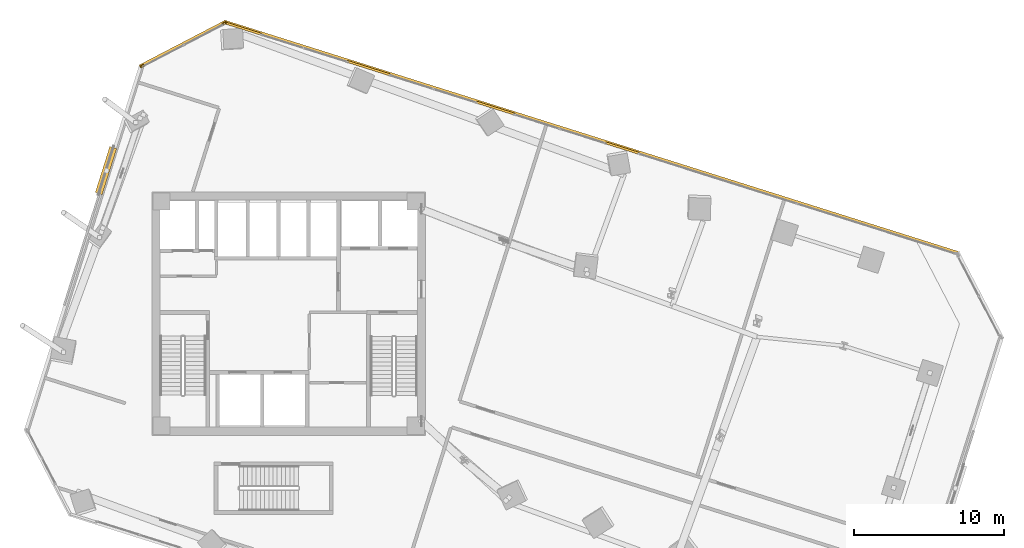
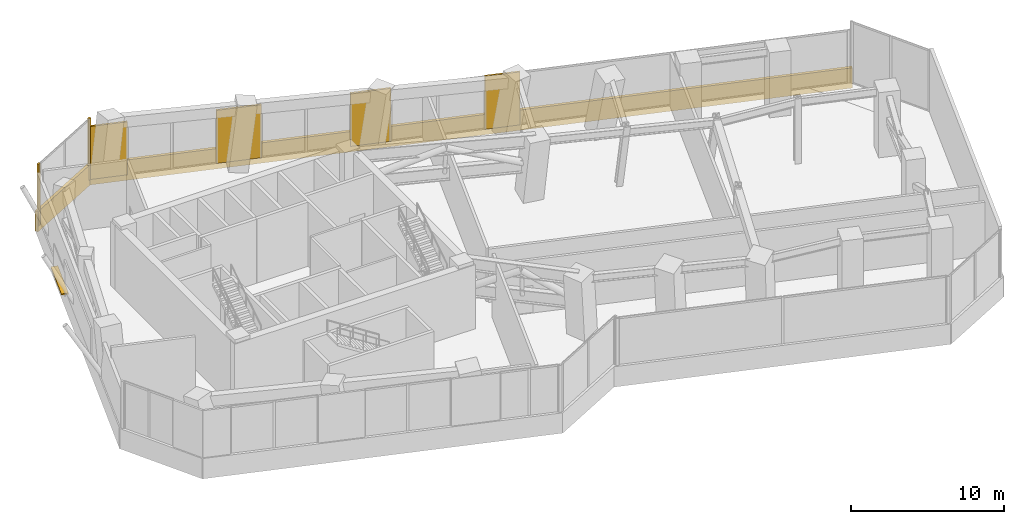
# One storey, part 28 of 29: 8 coverings, 1 shading device.
"""IFC4 building model written with IfcOpenShell, lengths in metres."""

from ifc_helpers import new_model, si_unit, direction, frame, origin, origin_2d, place, context, subcontext, project, spatial, rectangle, extrude, source, transform, mapped, material, layer, layer_set, type_object, element, save


model = new_model("IFC4")

# Units and contexts
model_context = context("Model", 3, precision=1e-05, world=origin(), true_north=direction((0.0, 1.0)))
body_context = subcontext(model_context, "Body", "Model", "MODEL_VIEW")
ifc_project = project(units=[si_unit("LENGTHUNIT", "METRE"), si_unit("AREAUNIT", "SQUARE_METRE"), si_unit("VOLUMEUNIT", "CUBIC_METRE"), si_unit("PLANEANGLEUNIT", "RADIAN"), si_unit("MASSUNIT", "GRAM", prefix="KILO")], contexts=[model_context])

# Site, building, storey
site_placement = place(None, origin())
site = spatial("IfcSite", under=ifc_project, at=site_placement, CompositionType="ELEMENT")
building_placement = place(site_placement, origin())
building = spatial("IfcBuilding", under=site, at=building_placement, Name="Torre Montelarca", CompositionType="ELEMENT")
storey_placement = place(building_placement, frame((0.0, 0.0, 122.199951171875)))
storey = spatial("IfcBuildingStorey", under=building, at=storey_placement, Name="L27", CompositionType="ELEMENT", Elevation=122.199951171875)

# Coverings
ifc_material_1 = material(Name="Bush-hammered warm white precast concrete C45/55", Category="concrete")
ifc_layer_1 = layer(ifc_material_1, 0.139892578125, Name="Bush-hammered warm white precast concrete C45/55", Category="concrete")
ifc_layer_set_1 = layer_set([ifc_layer_1], Name="Bush-hammered warm white precast concrete C45/55")
covering_type = type_object("IfcCoveringType", Name="COV-TRAY-CLAD", PredefinedType="CLADDING", material=ifc_layer_set_1)
shared_shape_1 = source(origin(), body_context, "Body", "SweptSolid", [
    extrude(rectangle(XDim=6.48388671875, YDim=0.219970703125, at=origin_2d()), origin(), (0.0, 0.0, 1.0), 1.6201171875),
])
covering_1_placement = place(storey_placement, frame((10.973876953125, 49.923583984375, -0.449951171875), z_axis=(0.0, 0.0, 1.0), x_axis=(-0.88701405677, -0.46174242072, 0.0)))
element("IfcCovering", 1, at=covering_1_placement, inside=storey, type_object=covering_type, Name="L27 Architectural White Spandrel Tray Band TRYBOT-09", PredefinedType="CLADDING", context=body_context, shape_type="MappedRepresentation", body=[
    mapped(shared_shape_1, transform((0.0, 0.0, 0.0), scale=1.0)),
])
shared_shape_2 = source(origin(), body_context, "Body", "SweptSolid", [
    extrude(rectangle(XDim=51.219970703125, YDim=0.219970703125, at=origin_2d()), origin(), (0.0, 0.0, 1.0), 1.6201171875),
])
covering_2_placement = place(storey_placement, frame((38.140869140625, 43.7080078125, -0.449951171875), z_axis=(0.0, 0.0, 1.0), x_axis=(-0.953717475577, 0.300704134954, 0.0)))
element("IfcCovering", 2, at=covering_2_placement, inside=storey, type_object=covering_type, Name="L27 Architectural White Spandrel Tray Band TRYBOT-08", PredefinedType="CLADDING", context=body_context, shape_type="MappedRepresentation", body=[
    mapped(shared_shape_2, transform((0.0, 0.0, 0.0), scale=1.0)),
])

# Shading device
ifc_material_2 = material(Name="Anodised champagne bronze aluminium AA 6063-T6", Category="aluminium")
ifc_layer_2 = layer(ifc_material_2, 0.070068359375, Name="Anodised champagne bronze aluminium AA 6063-T6", Category="aluminium")
ifc_layer_set_2 = layer_set([ifc_layer_2], Name="Anodised champagne bronze aluminium AA 6063-T6")
shading_device_type = type_object("IfcShadingDeviceType", Name="SHD-SUNSHADE-1", PredefinedType="USERDEFINED", material=ifc_layer_set_2)
shared_shape_3 = source(origin(), body_context, "Body", "SweptSolid", [
    extrude(rectangle(XDim=3.199951171875, YDim=0.47998046875, at=origin_2d()), origin(), (0.0, 0.0, 1.0), 0.10009765625),
])
shading_device_placement = place(storey_placement, frame((5.856201171875, 41.511962890625, 0.570068359375), z_axis=(0.0, 0.0, 1.0), x_axis=(-0.300709128603, -0.953715901081, 0.0)))
element("IfcShadingDevice", 3, at=shading_device_placement, inside=storey, type_object=shading_device_type, Name="L27 Facade Solar Shading Device E10", ObjectType="SUNSHADE", PredefinedType="USERDEFINED", context=body_context, shape_type="MappedRepresentation", body=[
    mapped(shared_shape_3, transform((0.0, 0.0, 0.0), scale=1.0)),
])

# Coverings
shared_shape_4 = source(origin(), body_context, "Body", "SweptSolid", [
    extrude(rectangle(XDim=0.199951171875, YDim=0.139892578125, at=origin_2d()), origin(), (0.0, 0.0, 1.0), 4.919921875),
])
for number, where, z_axis, x_axis, name in (
    (4, (13.72119140625, 51.2861328125, 0.0), (0.0, 0.0, 1.0), (-0.887017280319, -0.461736228182, 0.0), "L27 Architectural Column Pier Cladding E09-1"),
    (5, (8.28173828125, 48.45458984375, 0.0), (0.0, 0.0, 1.0), (-0.887017280319, -0.461736228182, 0.0), "L27 Architectural Column Pier Cladding E09-2"),
):
    element("IfcCovering", number, at=place(storey_placement, frame(where, z_axis=z_axis, x_axis=x_axis)), inside=storey, type_object=covering_type, Name=name, PredefinedType="CLADDING", context=body_context, shape_type="MappedRepresentation", body=[
        mapped(shared_shape_4, transform((0.0, 0.0, 0.0), scale=1.0)),
    ])
shared_shape_5 = source(origin(), body_context, "Body", "SweptSolid", [
    extrude(rectangle(XDim=2.360107421875, YDim=0.139892578125, at=origin_2d()), origin(), (0.0, 0.0, 1.0), 4.235107421875),
])
covering_3_placement = place(storey_placement, frame((40.17333984375, 43.004150390625, 0.0), z_axis=(0.0, 0.0, 1.0), x_axis=(-0.953717475577, 0.300704134954, 0.0)))
element("IfcCovering", 6, at=covering_3_placement, inside=storey, type_object=covering_type, Name="L27 Architectural Column Pier Cladding E08-2", PredefinedType="CLADDING", context=body_context, shape_type="MappedRepresentation", body=[
    mapped(shared_shape_5, transform((0.0, 0.0, 0.0), scale=1.0)),
])
shared_shape_6 = source(origin(), body_context, "Body", "SweptSolid", [
    extrude(rectangle(XDim=2.687744140625, YDim=0.139892578125, at=origin_2d()), origin(), (0.0, 0.0, 1.0), 4.235107421875),
])
covering_4_placement = place(storey_placement, frame((31.74609375, 45.6611328125, 0.0), z_axis=(0.0, 0.0, 1.0), x_axis=(-0.953717475577, 0.300704134954, 0.0)))
element("IfcCovering", 7, at=covering_4_placement, inside=storey, type_object=covering_type, Name="L27 Architectural Column Pier Cladding E08-3", PredefinedType="CLADDING", context=body_context, shape_type="MappedRepresentation", body=[
    mapped(shared_shape_6, transform((0.0, 0.0, 0.0), scale=1.0)),
])
shared_shape_7 = source(origin(), body_context, "Body", "SweptSolid", [
    extrude(rectangle(XDim=3.024169921875, YDim=0.139892578125, at=origin_2d()), origin(), (0.0, 0.0, 1.0), 4.235107421875),
])
covering_5_placement = place(storey_placement, frame((23.322998046875, 48.31689453125, 0.0), z_axis=(0.0, 0.0, 1.0), x_axis=(-0.953717475577, 0.300704134954, 0.0)))
element("IfcCovering", 8, at=covering_5_placement, inside=storey, type_object=covering_type, Name="L27 Architectural Column Pier Cladding E08-4", PredefinedType="CLADDING", context=body_context, shape_type="MappedRepresentation", body=[
    mapped(shared_shape_7, transform((0.0, 0.0, 0.0), scale=1.0)),
])
shared_shape_8 = source(origin(), body_context, "Body", "SweptSolid", [
    extrude(rectangle(XDim=2.536865234375, YDim=0.139892578125, at=origin_2d()), origin(), (0.0, 0.0, 1.0), 4.235107421875),
])
covering_6_placement = place(storey_placement, frame((14.97998046875, 50.947509765625, 0.0), z_axis=(0.0, 0.0, 1.0), x_axis=(-0.953717475577, 0.300704134954, 0.0)))
element("IfcCovering", 9, at=covering_6_placement, inside=storey, type_object=covering_type, Name="L27 Architectural Column Pier Cladding E08-5", PredefinedType="CLADDING", context=body_context, shape_type="MappedRepresentation", body=[
    mapped(shared_shape_8, transform((0.0, 0.0, 0.0), scale=1.0)),
])

save(model, "model.ifc")
